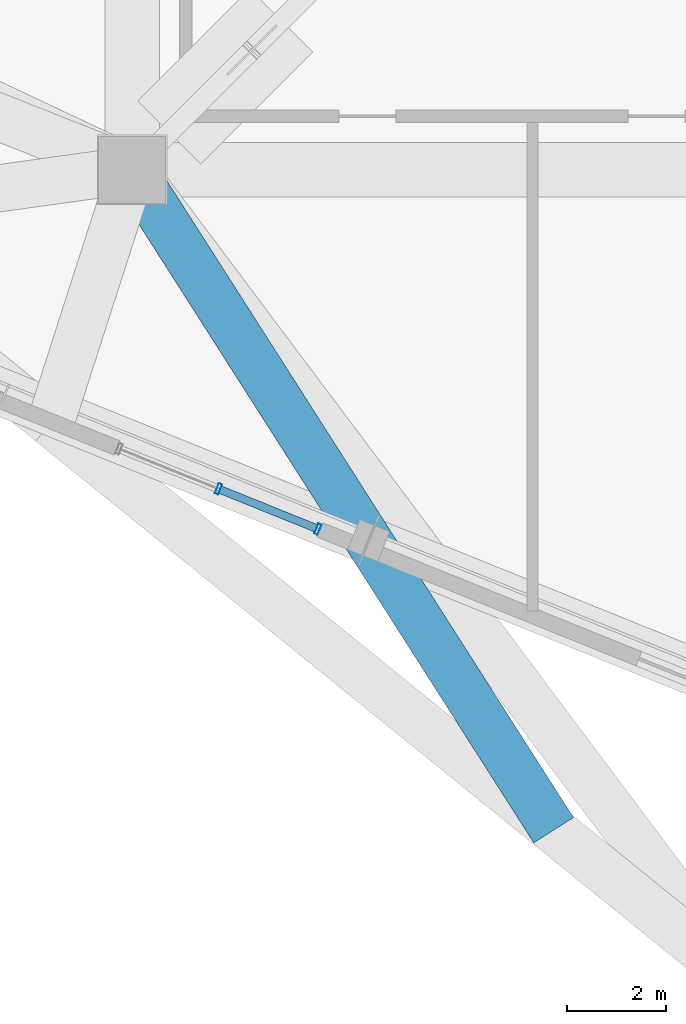
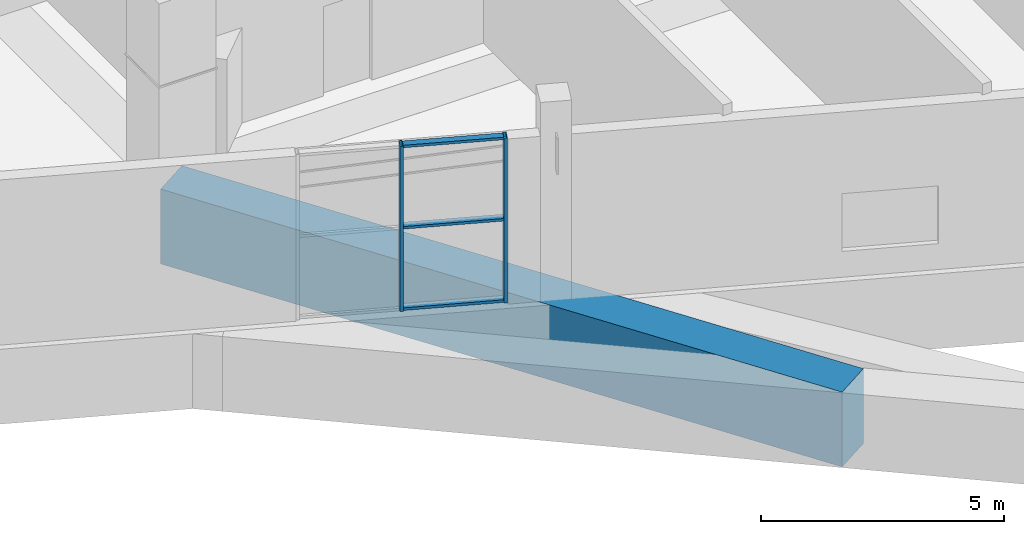
# One storey, part 4 of 20: 5 members, 1 beam, 1 element without a shape of its own.
"""IFC4 building model written with IfcOpenShell, lengths in metres."""

from ifc_helpers import new_model, si_unit, direction, frame, origin, origin_2d, place, context, subcontext, project, spatial, rectangle, hollow_rectangle, extrude, source, transform, mapped, material, layer, layer_set, material_profile, profile_set, type_object, element, aggregate, save


model = new_model("IFC4")

# Units and contexts
model_context = context("Model", 3, precision=1e-05, world=origin(), true_north=direction((0.0, 1.0)))
body_context = subcontext(model_context, "Body", "Model", "MODEL_VIEW")
ifc_project = project(units=[si_unit("LENGTHUNIT", "METRE"), si_unit("AREAUNIT", "SQUARE_METRE"), si_unit("VOLUMEUNIT", "CUBIC_METRE"), si_unit("PLANEANGLEUNIT", "RADIAN"), si_unit("MASSUNIT", "GRAM", prefix="KILO"), si_unit("THERMODYNAMICTEMPERATUREUNIT", "KELVIN")], contexts=[model_context])

# Site, building, storey
site_placement = place(None, origin())
site = spatial("IfcSite", under=ifc_project, at=site_placement, CompositionType="ELEMENT")
building_placement = place(site_placement, origin())
building = spatial("IfcBuilding", under=site, at=building_placement, Name="Kosmvard Interchange Tower", CompositionType="ELEMENT")
storey_placement = place(building_placement, frame((0.0, 0.0, 260.199951171875)))
storey = spatial("IfcBuildingStorey", under=building, at=storey_placement, Name="L63", CompositionType="ELEMENT", Elevation=260.199951171875)

# Beam
ifc_material_1 = material(Name="Concrete C60/75", Category="concrete")
ifc_material_profile_1 = material_profile(ifc_material_1, rectangle(XDim=0.949951171875, YDim=1.8798828125, at=origin_2d()), Name="TG 950x1880")
ifc_profile_set_1 = profile_set([ifc_material_profile_1], Name="Concrete C60/75")
beam_type = type_object("IfcBeamType", Name="Upper Long-Span Transfer Girder 950x1880 C60/75", PredefinedType="USERDEFINED", material=ifc_profile_set_1)
shared_shape_1 = source(origin(), body_context, "Body", "SweptSolid", [
    extrude(rectangle(XDim=0.949951171875, YDim=1.8798828125, at=origin_2d()), origin(), (0.0, 0.0, 1.0), 15.8056640625),
])
beam_placement = place(storey_placement, frame((-13.0810546875, -13.0810546875, -0.93994140625), z_axis=(0.538047361913, -0.842914607975, 0.0), x_axis=(0.842914607975, 0.538047361913, 0.0)))
element("IfcBeam", 1, at=beam_placement, inside=storey, type_object=beam_type, Name="BM-L63-RD11", ObjectType="TRANSFER_GIRDER", PredefinedType="USERDEFINED", context=body_context, shape_type="MappedRepresentation", body=[
    mapped(shared_shape_1, transform((0.0, 0.0, 0.0), scale=1.0)),
])

# Curtain wall, members
ifc_material_2 = material(Name="Architectural anodised aluminium", Category="aluminium")
ifc_layer = layer(ifc_material_2, 0.2099609375, Name="Architectural anodised aluminium")
ifc_layer_set = layer_set([ifc_layer], Name="Architectural anodised aluminium")
curtain_wall_type = type_object("IfcCurtainWallType", Name="CW-4 Refuge Transfer Glazed Louvre Wall", PredefinedType="NOTDEFINED", material=ifc_layer_set)
curtain_wall_placement = place(storey_placement, origin())
curtain_wall = element("IfcCurtainWall", 2, at=curtain_wall_placement, inside=storey, type_object=curtain_wall_type, Name="L63 Transfer Louvre Curtain Wall W", PredefinedType="NOTDEFINED")
ifc_material_profile_2 = material_profile(ifc_material_2, hollow_rectangle(XDim=0.159912109375, YDim=0.06494140625, WallThickness=0.00390625, at=origin_2d()), Name="CWT 160x65x4")
ifc_profile_set_2 = profile_set([ifc_material_profile_2], Name="Architectural anodised aluminium")
member_type_1 = type_object("IfcMemberType", Name="Standard CW Transom 160x65 Aluminium", PredefinedType="USERDEFINED", material=ifc_profile_set_2)
shared_shape_2 = source(origin(), body_context, "Body", "SweptSolid", [
    extrude(hollow_rectangle(XDim=0.159912109375, YDim=0.06494140625, WallThickness=0.00390625, at=origin_2d()), origin(), (0.0, 0.0, 1.0), 2.087646484375),
])
member_1_placement = place(storey_placement, frame((-11.302734375, -19.533203125, 0.032470703125), z_axis=(0.92718872564, -0.37459453686, 0.0), x_axis=(0.37459453686, 0.92718872564, 0.0)))
member_1 = element("IfcMember", 3, at=member_1_placement, type_object=member_type_1, Name="CW-4 transom 2.1", ObjectType="TRANSOM", PredefinedType="USERDEFINED", context=body_context, shape_type="MappedRepresentation", body=[
    mapped(shared_shape_2, transform((0.0, 0.0, 0.0), scale=1.0)),
])
member_2_placement = place(storey_placement, frame((-11.302734375, -19.533203125, 2.074951171875), z_axis=(0.92718872564, -0.37459453686, 0.0), x_axis=(0.37459453686, 0.92718872564, 0.0)))
member_2 = element("IfcMember", 4, at=member_2_placement, type_object=member_type_1, Name="CW-4 transom 2.2", ObjectType="TRANSOM", PredefinedType="USERDEFINED", context=body_context, shape_type="MappedRepresentation", body=[
    mapped(shared_shape_2, transform((0.0, 0.0, 0.0), scale=1.0)),
])
member_3_placement = place(storey_placement, frame((-11.302734375, -19.533203125, 4.117431640625), z_axis=(0.92718872564, -0.37459453686, 0.0), x_axis=(0.37459453686, 0.92718872564, 0.0)))
member_3 = element("IfcMember", 5, at=member_3_placement, type_object=member_type_1, Name="CW-4 transom 2.3", ObjectType="TRANSOM", PredefinedType="USERDEFINED", context=body_context, shape_type="MappedRepresentation", body=[
    mapped(shared_shape_2, transform((0.0, 0.0, 0.0), scale=1.0)),
])
ifc_material_profile_3 = material_profile(ifc_material_2, hollow_rectangle(XDim=0.219970703125, YDim=0.074951171875, WallThickness=0.0048828125, at=origin_2d()), Name="CWM 220x75x5")
ifc_profile_set_3 = profile_set([ifc_material_profile_3], Name="Architectural anodised aluminium")
member_type_2 = type_object("IfcMemberType", Name="Concourse CW Mullion 220x75 Aluminium", PredefinedType="MULLION", material=ifc_profile_set_3)
shared_shape_3 = source(origin(), body_context, "Body", "SweptSolid", [
    extrude(hollow_rectangle(XDim=0.219970703125, YDim=0.074951171875, WallThickness=0.0048828125, at=origin_2d()), origin(), (0.0, 0.0, 1.0), 4.150146484375),
])
member_4_placement = place(storey_placement, frame((-11.337646484375, -19.519287109375, 0.0), z_axis=(0.0, 0.0, 1.0), x_axis=(0.374606588108, 0.927183856711, 0.0)))
member_4 = element("IfcMember", 6, at=member_4_placement, type_object=member_type_2, Name="CW-4 mullion 2", PredefinedType="MULLION", context=body_context, shape_type="MappedRepresentation", body=[
    mapped(shared_shape_3, transform((0.0, 0.0, 0.0), scale=1.0)),
])
member_5_placement = place(storey_placement, frame((-9.33251953125, -20.329345703125, 0.0), z_axis=(0.0, 0.0, 1.0), x_axis=(0.374606588108, 0.927183856711, 0.0)))
member_5 = element("IfcMember", 7, at=member_5_placement, type_object=member_type_2, Name="CW-4 mullion 3", PredefinedType="MULLION", context=body_context, shape_type="MappedRepresentation", body=[
    mapped(shared_shape_3, transform((0.0, 0.0, 0.0), scale=1.0)),
])
aggregate(curtain_wall, [member_4, member_5, member_1, member_2, member_3])

save(model, "model.ifc")
